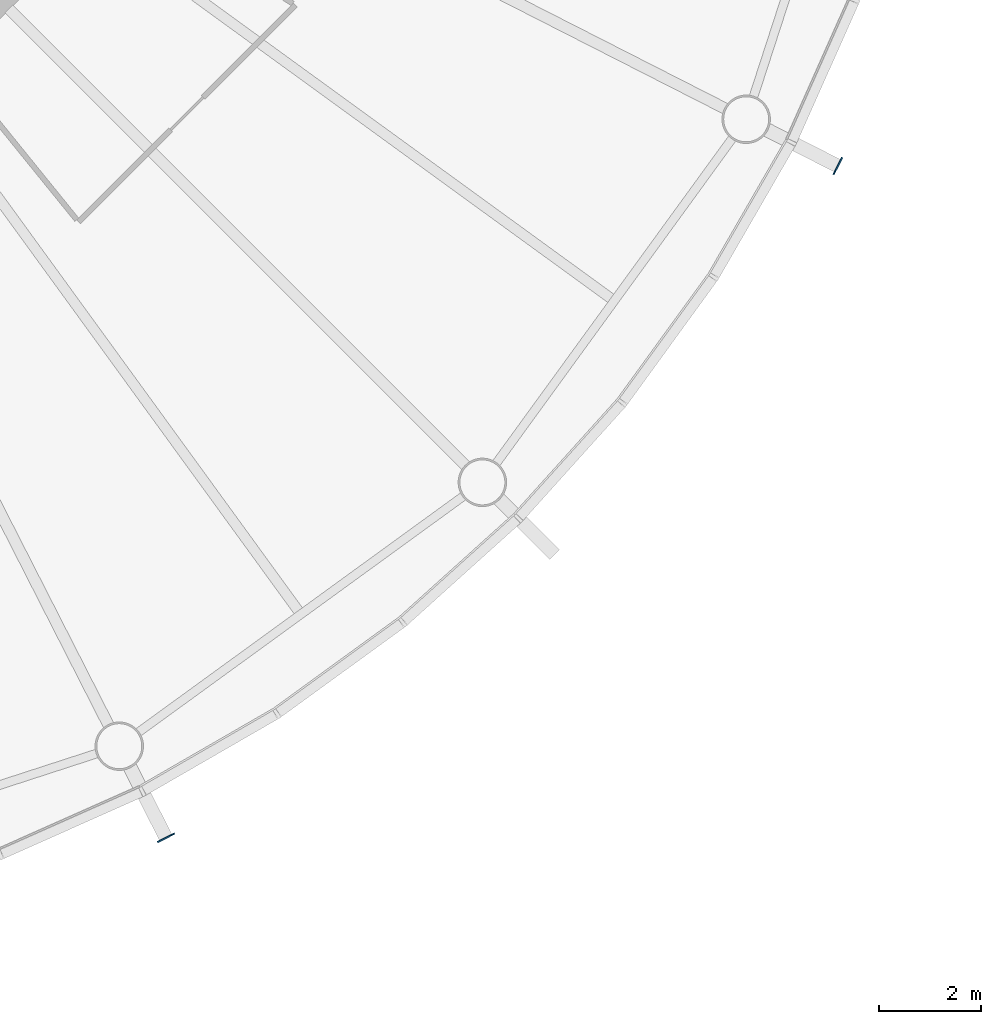
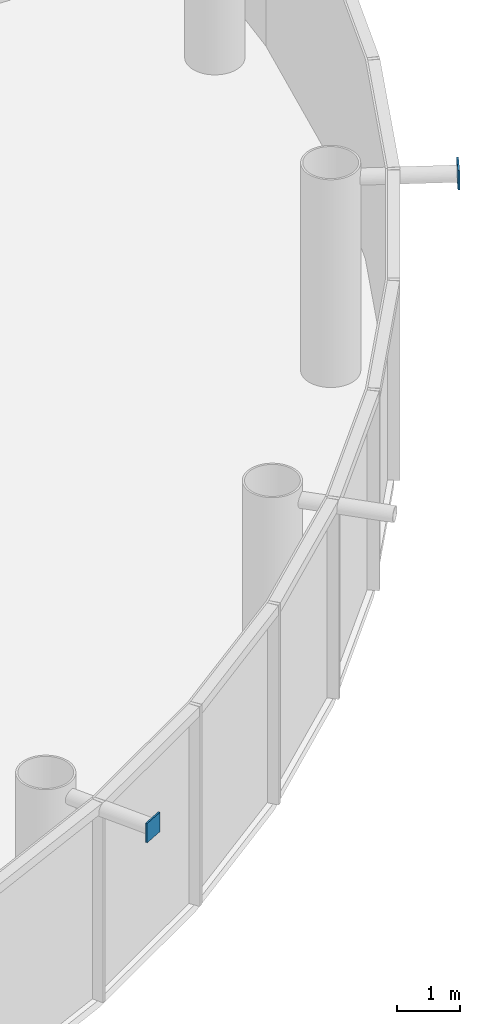
# One storey, part 8 of 17: 2 discrete accessories.
"""IFC4 building model written with IfcOpenShell, lengths in metres."""

from ifc_helpers import new_model, si_unit, direction, frame, origin, origin_2d, place, context, subcontext, project, spatial, rectangle, extrude, material, element, save


model = new_model("IFC4")

# Units and contexts
model_context = context("Model", 3, precision=1e-05, world=origin(), true_north=direction((0.0, 1.0)))
body_context = subcontext(model_context, "Body", "Model", "MODEL_VIEW")
ifc_project = project(units=[si_unit("LENGTHUNIT", "METRE"), si_unit("AREAUNIT", "SQUARE_METRE"), si_unit("VOLUMEUNIT", "CUBIC_METRE"), si_unit("PLANEANGLEUNIT", "RADIAN"), si_unit("MASSUNIT", "GRAM", prefix="KILO")], contexts=[model_context])

# Site, building, storey
site_placement = place(None, origin())
site = spatial("IfcSite", under=ifc_project, at=site_placement, CompositionType="ELEMENT")
building_placement = place(site_placement, origin())
building = spatial("IfcBuilding", under=site, at=building_placement, Name="Entoto Ring Tower", CompositionType="ELEMENT")
storey_placement = place(building_placement, frame((0.0, 0.0, 306.0)))
storey = spatial("IfcBuildingStorey", under=building, at=storey_placement, Name="L70", CompositionType="ELEMENT", Elevation=306.0)

# Discrete accessories
ifc_material = material(Name="Steel S355", Category="steel")
for number, where, z_axis, x_axis, name in (
    (1, (103.671875, 53.167236328125, 3.52685546875), (0.0, 0.0, 1.0), (0.45399049974, -0.891006524188, 0.0), "Node strut end plate DS2 ring 23 16"),
    (2, (116.832763671875, 66.328125, 3.52685546875), (0.0, 0.0, 1.0), (0.891006524188, -0.45399049974, 0.0), "Node strut end plate DS2 ring 23 18"),
):
    element("IfcDiscreteAccessory", number, at=place(storey_placement, frame(where, z_axis=z_axis, x_axis=x_axis)), inside=storey, material=ifc_material, Name=name, PredefinedType="BRACKET", context=body_context, shape_type="SweptSolid", body=[
        extrude(rectangle(XDim=0.030029296875, YDim=0.373046875, at=origin_2d()), origin(), (0.0, 0.0, 1.0), 0.373046875),
    ])

save(model, "model.ifc")
